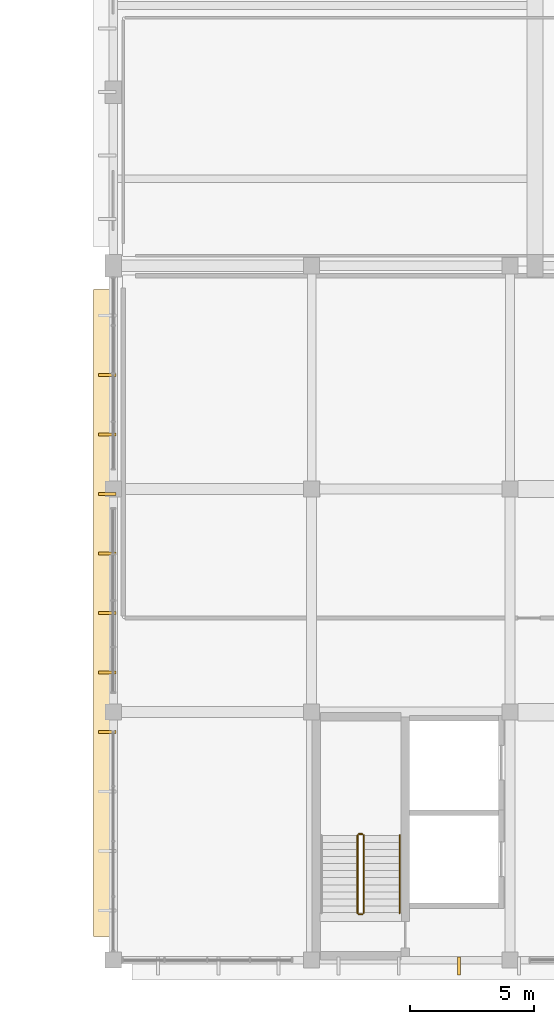
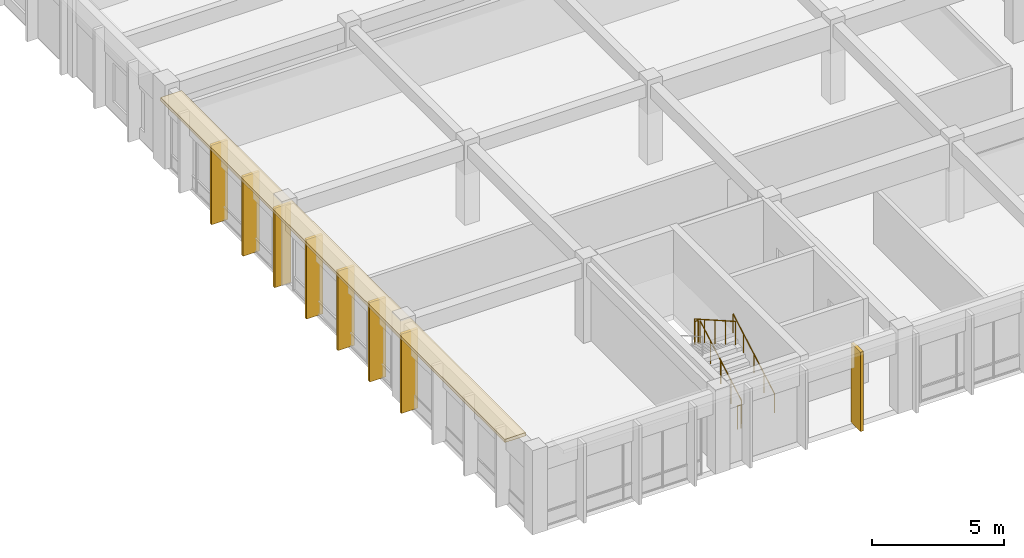
# One storey, part 83 of 98: 9 coverings, 5 railings.
"""IFC4 building model written with IfcOpenShell, lengths in metres."""

import ifcopenshell
import ifcopenshell.guid

model = None  # the IFC model being written
_history = None  # IfcOwnerHistory: only IFC2X3 demands one
_inside = {}  # id of a spatial element -> (the spatial element, [elements in it])
_under = {}  # id of a project, library or spatial element -> (it, [spatial elements below it])
_declared = {}  # id of a project -> (the project, [libraries it declares])
_typed = {}  # id of a type object -> (the type object, [elements of that type])
_made_of = {}  # id of a material, layer set ... -> (it, [elements and type objects made of it])


def new_model(schema):
    """Start an empty IFC model of exactly this schema.

    Asked for "IFC4X3", IfcOpenShell would pick the latest addendum, in which some entities
    have other attributes; the version numbers below select the first issue.
    IFC2X3 requires an IfcOwnerHistory on every rooted entity: one is made here for all.
    """
    global model, _history
    if schema == "IFC4X3":
        model = ifcopenshell.file(schema_version=(4, 3, 0, 0))
    else:
        model = ifcopenshell.file(schema=schema)
    _inside.clear()
    _under.clear()
    _declared.clear()
    _typed.clear()
    _made_of.clear()
    _history = None
    if model.schema == "IFC2X3":
        org = make("IfcOrganization", Name="unknown")
        user = make(
            "IfcPersonAndOrganization",
            ThePerson=make("IfcPerson", FamilyName="unknown"),
            TheOrganization=org,
        )
        app = make(
            "IfcApplication",
            ApplicationDeveloper=org,
            Version="unknown",
            ApplicationFullName="unknown",
            ApplicationIdentifier="unknown",
        )
        _history = make(
            "IfcOwnerHistory",
            OwningUser=user,
            OwningApplication=app,
            ChangeAction="ADDED",
            CreationDate=0,
        )
    return model


def make(cls, **values):
    """One entity of the class cls with the attributes given. An attribute that is None is left unset."""
    return model.create_entity(
        cls, **{name: value for name, value in values.items() if value is not None}
    )


def rooted(cls, **values):
    """An entity with a GlobalId (a new one), such as an element, a storey or a relation."""
    return make(cls, GlobalId=ifcopenshell.guid.new(), OwnerHistory=_history, **values)


def si_unit(unit_type, name, prefix=None):
    """IfcSIUnit, for example si_unit("LENGTHUNIT", "METRE", prefix="MILLI")."""
    return make("IfcSIUnit", UnitType=unit_type, Prefix=prefix, Name=name)


def assignment(units):
    """IfcUnitAssignment: the units of a project."""
    return None if units is None else make("IfcUnitAssignment", Units=units)


def point(xyz):
    """IfcCartesianPoint."""
    return None if xyz is None else make("IfcCartesianPoint", Coordinates=xyz)


def direction(xyz):
    """IfcDirection."""
    return None if xyz is None else make("IfcDirection", DirectionRatios=xyz)


def frame(location, z_axis=None, x_axis=None):
    """IfcAxis2Placement3D, a coordinate frame: its origin and axes. An axis left out is left unset."""
    return make(
        "IfcAxis2Placement3D",
        Location=point(location),
        Axis=direction(z_axis),
        RefDirection=direction(x_axis),
    )


def frame_2d(location, x_axis=None):
    """IfcAxis2Placement2D, a coordinate frame in the plane: its origin and x axis."""
    return make(
        "IfcAxis2Placement2D", Location=point(location), RefDirection=direction(x_axis)
    )


def origin():
    """The frame at (0, 0, 0) with its axes left unset."""
    return frame((0.0, 0.0, 0.0))


def origin_2d():
    """The frame at (0, 0) in the plane with its x axis left unset."""
    return frame_2d((0.0, 0.0))


def place(relative_to, where):
    """IfcLocalPlacement: puts the frame where relative to a parent placement (None: the world)."""
    return make(
        "IfcLocalPlacement", PlacementRelTo=relative_to, RelativePlacement=where
    )


def context(
    kind, dimensions, precision=None, world=None, true_north=None, identifier=None
):
    """IfcGeometricRepresentationContext, for example the 3D "Model" context."""
    return make(
        "IfcGeometricRepresentationContext",
        ContextIdentifier=identifier,
        ContextType=kind,
        CoordinateSpaceDimension=dimensions,
        Precision=precision,
        WorldCoordinateSystem=world,
        TrueNorth=true_north,
    )


def subcontext(parent, identifier, kind, view, scale=None):
    """IfcGeometricRepresentationSubContext, for example "Body" below "Model"."""
    return make(
        "IfcGeometricRepresentationSubContext",
        ContextIdentifier=identifier,
        ContextType=kind,
        ParentContext=parent,
        TargetScale=scale,
        TargetView=view,
    )


def project(units=None, contexts=None):
    """IfcProject with its units and contexts."""
    return rooted(
        "IfcProject",
        Name="project",
        RepresentationContexts=contexts,
        UnitsInContext=assignment(units),
    )


def spatial(cls, under=None, at=None, **own):
    """A site, building, storey or space (cls), placed at a placement, below another one or the project."""
    s = rooted(cls, ObjectPlacement=at, **own)
    if under is not None:
        _under.setdefault(under.id(), (under, []))[1].append(s)
    return s


def profile(cls, at=None, kind="AREA", **sizes):
    """A parametric profile (cls). Its sizes go by their IFC names, for example OverallWidth=200.0."""
    return make(cls, ProfileType=kind, Position=at, **sizes)


def rectangle(**sizes):
    """IfcRectangleProfileDef."""
    return profile("IfcRectangleProfileDef", **sizes)


def circle(**sizes):
    """IfcCircleProfileDef."""
    return profile("IfcCircleProfileDef", **sizes)


def extrude(swept, where, along, depth):
    """IfcExtrudedAreaSolid: the profile swept, set in the frame where, extruded along a direction by depth."""
    return make(
        "IfcExtrudedAreaSolid",
        SweptArea=swept,
        Position=where,
        ExtrudedDirection=direction(along),
        Depth=depth,
    )


def shape(context_of_items, identifier, shape_type, items):
    """IfcShapeRepresentation: the items that make up one representation, for example the "Body"."""
    return make(
        "IfcShapeRepresentation",
        ContextOfItems=context_of_items,
        RepresentationIdentifier=identifier,
        RepresentationType=shape_type,
        Items=items,
    )


def material(Name=None, Category=None):
    """IfcMaterial."""
    return make("IfcMaterial", Name=Name, Category=Category)


def layer(
    of_material, thickness, ventilated=None, Name=None, Category=None, Priority=None
):
    """IfcMaterialLayer: one layer of a wall or slab, of a material (None: an air gap)."""
    return make(
        "IfcMaterialLayer",
        Material=of_material,
        LayerThickness=thickness,
        IsVentilated=ventilated,
        Name=Name,
        Category=Category,
        Priority=Priority,
    )


def layer_set(layers, Name=None):
    """IfcMaterialLayerSet."""
    return make("IfcMaterialLayerSet", MaterialLayers=layers, LayerSetName=Name)


def made_of(thing, what):
    """Note that an element or type object is made of a material, layer set ...; save() writes the relation."""
    if what is not None:
        _made_of.setdefault(what.id(), (what, []))[1].append(thing)
    return thing


def type_object(cls, material=None, **own):
    """A type object (cls), such as IfcWallType, which elements share."""
    return made_of(rooted(cls, **own), material)


def element(
    cls,
    number,
    at=None,
    inside=None,
    cuts=None,
    type_object=None,
    material=None,
    context=None,
    identifier="Body",
    shape_type=None,
    held_by="IfcProductDefinitionShape",
    body=None,
    shapes=None,
    **own,
):
    """One element of the class cls, such as IfcWall. Its Tag is "e" and its number.

    at: its placement. inside: the storey or other place that contains it. cuts: it is an
    opening in that element (IfcRelVoidsElement). A single representation is given by context,
    identifier, shape_type and body (its items); several are given by shapes. held_by: the class
    of the entity that holds the representations. save() writes the other relations.
    """
    e = rooted(cls, Tag="e%d" % number, ObjectPlacement=at, **own)
    if body is not None:
        shapes = [shape(context, identifier, shape_type, body)]
    if shapes is not None:
        e.Representation = make(held_by, Representations=shapes)
    if inside is not None:
        _inside.setdefault(inside.id(), (inside, []))[1].append(e)
    if cuts is not None:
        rooted(
            "IfcRelVoidsElement", RelatingBuildingElement=cuts, RelatedOpeningElement=e
        )
    if type_object is not None:
        _typed.setdefault(type_object.id(), (type_object, []))[1].append(e)
    return made_of(e, material)


def aggregate(whole, parts):
    """IfcRelAggregates: a whole, such as a stair, and the parts it consists of."""
    return rooted("IfcRelAggregates", RelatingObject=whole, RelatedObjects=parts)


def save(model, path):
    """Write the relations noted so far, then the file.

    IfcRelAggregates (storeys below a building ...), IfcRelContainedInSpatialStructure (elements
    in a storey), IfcRelDefinesByType, IfcRelAssociatesMaterial and IfcRelDeclares: one each for
    every whole, place, type object, material and project.
    """
    for whole, parts in _under.values():
        aggregate(whole, parts)
    for where, things in _inside.values():
        rooted(
            "IfcRelContainedInSpatialStructure",
            RelatedElements=things,
            RelatingStructure=where,
        )
    for kind, things in _typed.values():
        rooted("IfcRelDefinesByType", RelatedObjects=things, RelatingType=kind)
    for what, things in _made_of.values():
        rooted("IfcRelAssociatesMaterial", RelatedObjects=things, RelatingMaterial=what)
    for by, libraries in _declared.values():
        rooted("IfcRelDeclares", RelatingContext=by, RelatedDefinitions=libraries)
    model.write(path)


model = new_model("IFC4")

# Units and contexts
model_context = context("Model", 3, precision=1e-05, world=origin(), true_north=direction((0.0, 1.0)))
body_context = subcontext(model_context, "Body", "Model", "MODEL_VIEW")
ifc_project = project(units=[si_unit("LENGTHUNIT", "METRE"), si_unit("AREAUNIT", "SQUARE_METRE"), si_unit("VOLUMEUNIT", "CUBIC_METRE"), si_unit("PLANEANGLEUNIT", "RADIAN"), si_unit("MASSUNIT", "GRAM", prefix="KILO")], contexts=[model_context])

# Site, building, storey
site_placement = place(None, origin())
site = spatial("IfcSite", under=ifc_project, at=site_placement, CompositionType="ELEMENT")
building_placement = place(site_placement, origin())
building = spatial("IfcBuilding", under=site, at=building_placement, Name="Larkveld Mobility Hub", CompositionType="ELEMENT")
storey_placement = place(building_placement, frame((0.0, 0.0, 4.5)))
storey = spatial("IfcBuildingStorey", under=building, at=storey_placement, Name="L01", CompositionType="ELEMENT", Elevation=4.5)

# Coverings
ifc_material_1 = material(Name="Precast concrete C50/60", Category="concrete")
ifc_layer_1 = layer(ifc_material_1, 0.14990234375, Name="Precast concrete C50/60", Category="concrete")
ifc_layer_set_1 = layer_set([ifc_layer_1], Name="Precast concrete C50/60")
covering_type_1 = type_object("IfcCoveringType", Name="COV-QSL-H01", PredefinedType="CLADDING", material=ifc_layer_set_1)
covering_placement = place(storey_placement, frame((111.659912109375, 14.0, 3.670166015625), z_axis=(0.0, 0.0, 1.0), x_axis=(0.0, -1.0, 0.0)))
element("IfcCovering", 1, at=covering_placement, inside=storey, type_object=covering_type_1, Name="Precast Quebra-Sol Horizontal Sunbreaker QSH-234", PredefinedType="CLADDING", context=body_context, shape_type="SweptSolid", body=[
    extrude(rectangle(XDim=26.10009765625, YDim=0.919921875, at=origin_2d()), origin(), (0.0, 0.0, 1.0), 0.14990234375),
])
ifc_layer_2 = layer(ifc_material_1, 0.1201171875, Name="Precast concrete C50/60", Category="concrete")
ifc_layer_set_2 = layer_set([ifc_layer_2], Name="Precast concrete C50/60")
covering_type_2 = type_object("IfcCoveringType", Name="COV-QSL-V01", PredefinedType="CLADDING", material=ifc_layer_set_2)
for number, where, z_axis, x_axis, name in (
    (2, (125.93798828125, -0.239990234375, -0.0205078125), (0.0, 0.0, 1.0), (1.0, 0.0, 0.0), "Precast Quebra-Sol Vertical Fin QSV-212"),
    (3, (111.760009765625, 23.60009765625, -0.0205078125), (0.0, 0.0, 1.0), (0.0, -1.0, 0.0), "Precast Quebra-Sol Vertical Fin QSV-236"),
    (4, (111.760009765625, 21.199951171875, -0.0205078125), (0.0, 0.0, 1.0), (0.0, -1.0, 0.0), "Precast Quebra-Sol Vertical Fin QSV-237"),
    (5, (111.760009765625, 18.800048828125, -0.0205078125), (0.0, 0.0, 1.0), (0.0, -1.0, 0.0), "Precast Quebra-Sol Vertical Fin QSV-238"),
    (6, (111.760009765625, 16.39990234375, -0.0205078125), (0.0, 0.0, 1.0), (0.0, -1.0, 0.0), "Precast Quebra-Sol Vertical Fin QSV-239"),
    (7, (111.760009765625, 14.0, -0.0205078125), (0.0, 0.0, 1.0), (0.0, -1.0, 0.0), "Precast Quebra-Sol Vertical Fin QSV-240"),
    (8, (111.760009765625, 11.60009765625, -0.0205078125), (0.0, 0.0, 1.0), (0.0, -1.0, 0.0), "Precast Quebra-Sol Vertical Fin QSV-241"),
    (9, (111.760009765625, 9.199951171875, -0.0205078125), (0.0, 0.0, 1.0), (0.0, -1.0, 0.0), "Precast Quebra-Sol Vertical Fin QSV-242"),
):
    element("IfcCovering", number, at=place(storey_placement, frame(where, z_axis=z_axis, x_axis=x_axis)), inside=storey, type_object=covering_type_2, Name=name, PredefinedType="CLADDING", context=body_context, shape_type="SweptSolid", body=[
        extrude(rectangle(XDim=0.1201171875, YDim=0.719970703125, at=origin_2d()), origin(), (0.0, 0.0, 1.0), 3.675048828125),
    ])

# Railings
ifc_material_2 = material(Name="Galvanized Steel S355JR balustrade", Category="steel")
railing_type_1 = type_object("IfcRailingType", Name="RL-GRD-1100", PredefinedType="GUARDRAIL", material=ifc_material_2)
railing_1_placement = place(storey_placement, frame((122.10009765625, 1.89990234375, 0.16259765625)))
element("IfcRailing", 10, at=railing_1_placement, inside=storey, type_object=railing_type_1, Name="L01 ST4 stair guard 1", PredefinedType="GUARDRAIL", context=body_context, shape_type="SweptSolid", body=[
    extrude(circle(Radius=0.02392578125, at=origin_2d()), frame((0.0, 0.0, 1.076171875), z_axis=(0.0, 0.868729823959, 0.495286273749), x_axis=(-1.0, 0.0, 0.0)), (0.0, 0.0, 1.0), 3.608642578125),
    extrude(circle(Radius=0.02099609375, at=origin_2d()), origin(), (0.0, 0.0, 1.0), 1.052001953125),
    extrude(circle(Radius=0.02099609375, at=origin_2d()), frame((0.0, 0.78369140625, 0.44677734375)), (0.0, 0.0, 1.0), 1.052001953125),
    extrude(circle(Radius=0.02099609375, at=origin_2d()), frame((0.0, 1.5673828125, 0.8935546875)), (0.0, 0.0, 1.0), 1.052001953125),
    extrude(circle(Radius=0.02099609375, at=origin_2d()), frame((0.0, 2.351318359375, 1.340576171875)), (0.0, 0.0, 1.0), 1.052001953125),
    extrude(circle(Radius=0.02099609375, at=origin_2d()), frame((0.0, 3.135009765625, 1.787353515625)), (0.0, 0.0, 1.0), 1.052001953125),
])
railing_2_placement = place(storey_placement, frame((122.050048828125, 5.0849609375, 1.949951171875)))
element("IfcRailing", 11, at=railing_2_placement, inside=storey, type_object=railing_type_1, Name="L01 ST4 stair guard 2", PredefinedType="GUARDRAIL", context=body_context, shape_type="SweptSolid", body=[
    extrude(circle(Radius=0.02392578125, at=origin_2d()), frame((0.0, 0.0, 1.076171875), z_axis=(-1.0, 0.0, 0.0), x_axis=(0.0, -1.0, 0.0)), (0.0, 0.0, 1.0), 0.150146484375),
    extrude(circle(Radius=0.02099609375, at=origin_2d()), origin(), (0.0, 0.0, 1.0), 1.052001953125),
    extrude(circle(Radius=0.02099609375, at=origin_2d()), frame((-0.150146484375, 0.0, 0.0)), (0.0, 0.0, 1.0), 1.052001953125),
])
railing_3_placement = place(storey_placement, frame((121.85009765625, 5.034912109375, 2.112548828125)))
element("IfcRailing", 12, at=railing_3_placement, inside=storey, type_object=railing_type_1, Name="L01 ST4 stair guard 3", PredefinedType="GUARDRAIL", context=body_context, shape_type="SweptSolid", body=[
    extrude(circle(Radius=0.02392578125, at=origin_2d()), frame((0.0, 0.0, 1.076171875), z_axis=(0.0, -0.868729823959, 0.495286273749), x_axis=(1.0, 0.0, 0.0)), (0.0, 0.0, 1.0), 3.608642578125),
    extrude(circle(Radius=0.02099609375, at=origin_2d()), origin(), (0.0, 0.0, 1.0), 1.052001953125),
    extrude(circle(Radius=0.02099609375, at=origin_2d()), frame((0.0, -0.78369140625, 0.44677734375)), (0.0, 0.0, 1.0), 1.052001953125),
    extrude(circle(Radius=0.02099609375, at=origin_2d()), frame((0.0, -1.5673828125, 0.8935546875)), (0.0, 0.0, 1.0), 1.052001953125),
    extrude(circle(Radius=0.02099609375, at=origin_2d()), frame((0.0, -2.351318359375, 1.340576171875)), (0.0, 0.0, 1.0), 1.052001953125),
    extrude(circle(Radius=0.02099609375, at=origin_2d()), frame((0.0, -3.135009765625, 1.787353515625)), (0.0, 0.0, 1.0), 1.052001953125),
])
railing_4_placement = place(storey_placement, frame((122.050048828125, 1.85009765625, 0.0)))
element("IfcRailing", 13, at=railing_4_placement, inside=storey, type_object=railing_type_1, Name="L01 ST4 stair guard 4", PredefinedType="GUARDRAIL", context=body_context, shape_type="SweptSolid", body=[
    extrude(circle(Radius=0.02392578125, at=origin_2d()), frame((0.0, 0.0, 1.076171875), z_axis=(-1.0, 0.0, 0.0), x_axis=(0.0, -1.0, 0.0)), (0.0, 0.0, 1.0), 0.150146484375),
    extrude(circle(Radius=0.02099609375, at=origin_2d()), origin(), (0.0, 0.0, 1.0), 1.052001953125),
    extrude(circle(Radius=0.02099609375, at=origin_2d()), frame((-0.150146484375, 0.0, 0.0)), (0.0, 0.0, 1.0), 1.052001953125),
])
ifc_material_3 = material(Name="Brushed Steel S355JR tubular handrail", Category="steel")
railing_type_2 = type_object("IfcRailingType", Name="RL-HND-0900", PredefinedType="HANDRAIL", material=ifc_material_3)
railing_5_placement = place(storey_placement, frame((123.550048828125, 1.89990234375, 0.16259765625)))
element("IfcRailing", 14, at=railing_5_placement, inside=storey, type_object=railing_type_2, Name="L01 ST4 stair handrail 1", PredefinedType="HANDRAIL", context=body_context, shape_type="SweptSolid", body=[
    extrude(circle(Radius=0.02392578125, at=origin_2d()), frame((0.0, 0.0, 0.8759765625), z_axis=(0.0, 0.868729823959, 0.495286273749), x_axis=(-1.0, 0.0, 0.0)), (0.0, 0.0, 1.0), 3.608642578125),
    extrude(circle(Radius=0.02099609375, at=origin_2d()), origin(), (0.0, 0.0, 1.0), 0.851806640625),
    extrude(circle(Radius=0.02099609375, at=origin_2d()), frame((0.0, 0.78369140625, 0.44677734375)), (0.0, 0.0, 1.0), 0.851806640625),
    extrude(circle(Radius=0.02099609375, at=origin_2d()), frame((0.0, 1.5673828125, 0.8935546875)), (0.0, 0.0, 1.0), 0.851806640625),
    extrude(circle(Radius=0.02099609375, at=origin_2d()), frame((0.0, 2.351318359375, 1.340576171875)), (0.0, 0.0, 1.0), 0.851806640625),
    extrude(circle(Radius=0.02099609375, at=origin_2d()), frame((0.0, 3.135009765625, 1.787353515625)), (0.0, 0.0, 1.0), 0.851806640625),
])

save(model, "model.ifc")
